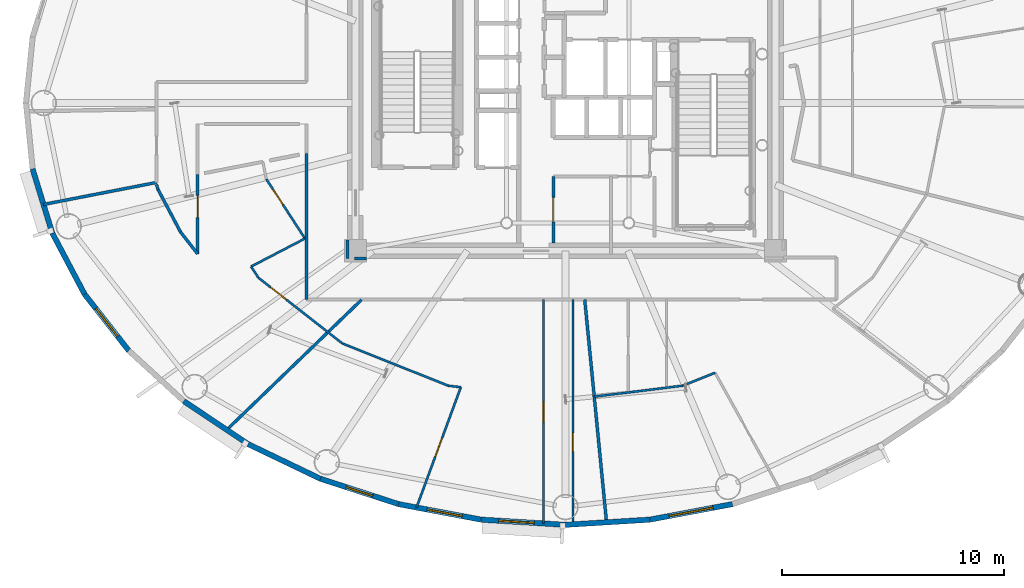
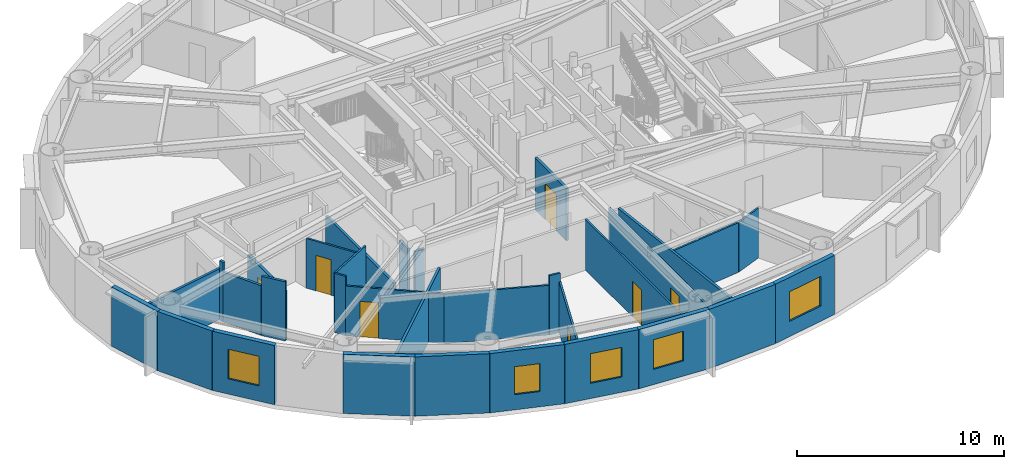
# One storey, part 9 of 21: 32 walls, 7 doors, 5 windows, 12 openings.
"""IFC4 building model written with IfcOpenShell, lengths in metres."""

import ifcopenshell
import ifcopenshell.guid

model = None  # the IFC model being written
_history = None  # IfcOwnerHistory: only IFC2X3 demands one
_inside = {}  # id of a spatial element -> (the spatial element, [elements in it])
_under = {}  # id of a project, library or spatial element -> (it, [spatial elements below it])
_declared = {}  # id of a project -> (the project, [libraries it declares])
_typed = {}  # id of a type object -> (the type object, [elements of that type])
_made_of = {}  # id of a material, layer set ... -> (it, [elements and type objects made of it])


def new_model(schema):
    """Start an empty IFC model of exactly this schema.

    Asked for "IFC4X3", IfcOpenShell would pick the latest addendum, in which some entities
    have other attributes; the version numbers below select the first issue.
    IFC2X3 requires an IfcOwnerHistory on every rooted entity: one is made here for all.
    """
    global model, _history
    if schema == "IFC4X3":
        model = ifcopenshell.file(schema_version=(4, 3, 0, 0))
    else:
        model = ifcopenshell.file(schema=schema)
    _inside.clear()
    _under.clear()
    _declared.clear()
    _typed.clear()
    _made_of.clear()
    _history = None
    if model.schema == "IFC2X3":
        org = make("IfcOrganization", Name="unknown")
        user = make(
            "IfcPersonAndOrganization",
            ThePerson=make("IfcPerson", FamilyName="unknown"),
            TheOrganization=org,
        )
        app = make(
            "IfcApplication",
            ApplicationDeveloper=org,
            Version="unknown",
            ApplicationFullName="unknown",
            ApplicationIdentifier="unknown",
        )
        _history = make(
            "IfcOwnerHistory",
            OwningUser=user,
            OwningApplication=app,
            ChangeAction="ADDED",
            CreationDate=0,
        )
    return model


def make(cls, **values):
    """One entity of the class cls with the attributes given. An attribute that is None is left unset."""
    return model.create_entity(
        cls, **{name: value for name, value in values.items() if value is not None}
    )


def rooted(cls, **values):
    """An entity with a GlobalId (a new one), such as an element, a storey or a relation."""
    return make(cls, GlobalId=ifcopenshell.guid.new(), OwnerHistory=_history, **values)


def si_unit(unit_type, name, prefix=None):
    """IfcSIUnit, for example si_unit("LENGTHUNIT", "METRE", prefix="MILLI")."""
    return make("IfcSIUnit", UnitType=unit_type, Prefix=prefix, Name=name)


def assignment(units):
    """IfcUnitAssignment: the units of a project."""
    return None if units is None else make("IfcUnitAssignment", Units=units)


def point(xyz):
    """IfcCartesianPoint."""
    return None if xyz is None else make("IfcCartesianPoint", Coordinates=xyz)


def direction(xyz):
    """IfcDirection."""
    return None if xyz is None else make("IfcDirection", DirectionRatios=xyz)


def frame(location, z_axis=None, x_axis=None):
    """IfcAxis2Placement3D, a coordinate frame: its origin and axes. An axis left out is left unset."""
    return make(
        "IfcAxis2Placement3D",
        Location=point(location),
        Axis=direction(z_axis),
        RefDirection=direction(x_axis),
    )


def frame_2d(location, x_axis=None):
    """IfcAxis2Placement2D, a coordinate frame in the plane: its origin and x axis."""
    return make(
        "IfcAxis2Placement2D", Location=point(location), RefDirection=direction(x_axis)
    )


def origin():
    """The frame at (0, 0, 0) with its axes left unset."""
    return frame((0.0, 0.0, 0.0))


def origin_2d():
    """The frame at (0, 0) in the plane with its x axis left unset."""
    return frame_2d((0.0, 0.0))


def place(relative_to, where):
    """IfcLocalPlacement: puts the frame where relative to a parent placement (None: the world)."""
    return make(
        "IfcLocalPlacement", PlacementRelTo=relative_to, RelativePlacement=where
    )


def context(
    kind, dimensions, precision=None, world=None, true_north=None, identifier=None
):
    """IfcGeometricRepresentationContext, for example the 3D "Model" context."""
    return make(
        "IfcGeometricRepresentationContext",
        ContextIdentifier=identifier,
        ContextType=kind,
        CoordinateSpaceDimension=dimensions,
        Precision=precision,
        WorldCoordinateSystem=world,
        TrueNorth=true_north,
    )


def subcontext(parent, identifier, kind, view, scale=None):
    """IfcGeometricRepresentationSubContext, for example "Body" below "Model"."""
    return make(
        "IfcGeometricRepresentationSubContext",
        ContextIdentifier=identifier,
        ContextType=kind,
        ParentContext=parent,
        TargetScale=scale,
        TargetView=view,
    )


def project(units=None, contexts=None):
    """IfcProject with its units and contexts."""
    return rooted(
        "IfcProject",
        Name="project",
        RepresentationContexts=contexts,
        UnitsInContext=assignment(units),
    )


def spatial(cls, under=None, at=None, **own):
    """A site, building, storey or space (cls), placed at a placement, below another one or the project."""
    s = rooted(cls, ObjectPlacement=at, **own)
    if under is not None:
        _under.setdefault(under.id(), (under, []))[1].append(s)
    return s


def profile(cls, at=None, kind="AREA", **sizes):
    """A parametric profile (cls). Its sizes go by their IFC names, for example OverallWidth=200.0."""
    return make(cls, ProfileType=kind, Position=at, **sizes)


def rectangle(**sizes):
    """IfcRectangleProfileDef."""
    return profile("IfcRectangleProfileDef", **sizes)


def extrude(swept, where, along, depth):
    """IfcExtrudedAreaSolid: the profile swept, set in the frame where, extruded along a direction by depth."""
    return make(
        "IfcExtrudedAreaSolid",
        SweptArea=swept,
        Position=where,
        ExtrudedDirection=direction(along),
        Depth=depth,
    )


def shape(context_of_items, identifier, shape_type, items):
    """IfcShapeRepresentation: the items that make up one representation, for example the "Body"."""
    return make(
        "IfcShapeRepresentation",
        ContextOfItems=context_of_items,
        RepresentationIdentifier=identifier,
        RepresentationType=shape_type,
        Items=items,
    )


def source(mapping_origin, context_of_items, identifier, shape_type, items):
    """IfcRepresentationMap: a shape defined once, which mapped items show again and again."""
    return make(
        "IfcRepresentationMap",
        MappingOrigin=mapping_origin,
        MappedRepresentation=shape(context_of_items, identifier, shape_type, items),
    )


def transform(
    local_origin,
    x_axis=None,
    y_axis=None,
    z_axis=None,
    scale=None,
    scale2=None,
    scale3=None,
    uniform=True,
):
    """IfcCartesianTransformationOperator3D, or its non-uniform kind. x_axis, y_axis, z_axis: its Axis1, 2, 3."""
    if uniform:
        return make(
            "IfcCartesianTransformationOperator3D",
            Axis1=direction(x_axis),
            Axis2=direction(y_axis),
            LocalOrigin=point(local_origin),
            Scale=scale,
            Axis3=direction(z_axis),
        )
    return make(
        "IfcCartesianTransformationOperator3DnonUniform",
        Axis1=direction(x_axis),
        Axis2=direction(y_axis),
        LocalOrigin=point(local_origin),
        Scale=scale,
        Axis3=direction(z_axis),
        Scale2=scale2,
        Scale3=scale3,
    )


def mapped(mapping_source, mapping_target):
    """IfcMappedItem: shows the shape of a source again, moved by a transform."""
    return make(
        "IfcMappedItem", MappingSource=mapping_source, MappingTarget=mapping_target
    )


def material(Name=None, Category=None):
    """IfcMaterial."""
    return make("IfcMaterial", Name=Name, Category=Category)


def layer(
    of_material, thickness, ventilated=None, Name=None, Category=None, Priority=None
):
    """IfcMaterialLayer: one layer of a wall or slab, of a material (None: an air gap)."""
    return make(
        "IfcMaterialLayer",
        Material=of_material,
        LayerThickness=thickness,
        IsVentilated=ventilated,
        Name=Name,
        Category=Category,
        Priority=Priority,
    )


def layer_set(layers, Name=None):
    """IfcMaterialLayerSet."""
    return make("IfcMaterialLayerSet", MaterialLayers=layers, LayerSetName=Name)


def made_of(thing, what):
    """Note that an element or type object is made of a material, layer set ...; save() writes the relation."""
    if what is not None:
        _made_of.setdefault(what.id(), (what, []))[1].append(thing)
    return thing


def type_object(cls, material=None, **own):
    """A type object (cls), such as IfcWallType, which elements share."""
    return made_of(rooted(cls, **own), material)


def element(
    cls,
    number,
    at=None,
    inside=None,
    cuts=None,
    type_object=None,
    material=None,
    context=None,
    identifier="Body",
    shape_type=None,
    held_by="IfcProductDefinitionShape",
    body=None,
    shapes=None,
    **own,
):
    """One element of the class cls, such as IfcWall. Its Tag is "e" and its number.

    at: its placement. inside: the storey or other place that contains it. cuts: it is an
    opening in that element (IfcRelVoidsElement). A single representation is given by context,
    identifier, shape_type and body (its items); several are given by shapes. held_by: the class
    of the entity that holds the representations. save() writes the other relations.
    """
    e = rooted(cls, Tag="e%d" % number, ObjectPlacement=at, **own)
    if body is not None:
        shapes = [shape(context, identifier, shape_type, body)]
    if shapes is not None:
        e.Representation = make(held_by, Representations=shapes)
    if inside is not None:
        _inside.setdefault(inside.id(), (inside, []))[1].append(e)
    if cuts is not None:
        rooted(
            "IfcRelVoidsElement", RelatingBuildingElement=cuts, RelatedOpeningElement=e
        )
    if type_object is not None:
        _typed.setdefault(type_object.id(), (type_object, []))[1].append(e)
    return made_of(e, material)


def fill(opening, filler):
    """IfcRelFillsElement: the door or window that sits in an opening."""
    return rooted(
        "IfcRelFillsElement",
        RelatingOpeningElement=opening,
        RelatedBuildingElement=filler,
    )


def aggregate(whole, parts):
    """IfcRelAggregates: a whole, such as a stair, and the parts it consists of."""
    return rooted("IfcRelAggregates", RelatingObject=whole, RelatedObjects=parts)


def save(model, path):
    """Write the relations noted so far, then the file.

    IfcRelAggregates (storeys below a building ...), IfcRelContainedInSpatialStructure (elements
    in a storey), IfcRelDefinesByType, IfcRelAssociatesMaterial and IfcRelDeclares: one each for
    every whole, place, type object, material and project.
    """
    for whole, parts in _under.values():
        aggregate(whole, parts)
    for where, things in _inside.values():
        rooted(
            "IfcRelContainedInSpatialStructure",
            RelatedElements=things,
            RelatingStructure=where,
        )
    for kind, things in _typed.values():
        rooted("IfcRelDefinesByType", RelatedObjects=things, RelatingType=kind)
    for what, things in _made_of.values():
        rooted("IfcRelAssociatesMaterial", RelatedObjects=things, RelatingMaterial=what)
    for by, libraries in _declared.values():
        rooted("IfcRelDeclares", RelatingContext=by, RelatedDefinitions=libraries)
    model.write(path)


model = new_model("IFC4")

# Units and contexts
model_context = context("Model", 3, precision=1e-05, world=origin(), true_north=direction((0.0, 1.0)))
body_context = subcontext(model_context, "Body", "Model", "MODEL_VIEW")
ifc_project = project(units=[si_unit("LENGTHUNIT", "METRE"), si_unit("AREAUNIT", "SQUARE_METRE"), si_unit("VOLUMEUNIT", "CUBIC_METRE"), si_unit("PLANEANGLEUNIT", "RADIAN"), si_unit("MASSUNIT", "GRAM", prefix="KILO")], contexts=[model_context])

# Site, building, storey
site_placement = place(None, origin())
site = spatial("IfcSite", under=ifc_project, at=site_placement, CompositionType="ELEMENT")
building_placement = place(site_placement, origin())
building = spatial("IfcBuilding", under=site, at=building_placement, Name="Linh Dai School and Residence Tower", CompositionType="ELEMENT")
storey_placement = place(building_placement, frame((0.0, 0.0, 251.550048828125)))
storey = spatial("IfcBuildingStorey", under=building, at=storey_placement, Name="L62", CompositionType="ELEMENT", Elevation=251.550048828125)

# Walls
ifc_material_1 = material(Name="Precast Concrete B45 (C35/45)", Category="concrete")
ifc_layer_1 = layer(ifc_material_1, 0.239990234375)
ifc_layer_set_1 = layer_set([ifc_layer_1], Name="Precast Concrete B45 (C35/45)")
wall_type_1 = type_object("IfcWallType", Name="EW-TC-240", PredefinedType="SOLIDWALL", material=ifc_layer_set_1)
wall_1_placement = place(storey_placement, frame((12.90966796875, 21.14404296875, 0.0), z_axis=(0.0, 0.0, 1.0), x_axis=(-0.293132907334, 0.95607170162, 0.0)))
element("IfcWall", 1, at=wall_1_placement, inside=storey, type_object=wall_type_1, Name="L62 Terracotta Exterior Wall 22", PredefinedType="SOLIDWALL", context=body_context, shape_type="SweptSolid", body=[
    extrude(rectangle(XDim=3.02490234375, YDim=0.239990234375, at=frame_2d((1.512451171875, 0.0))), origin(), (0.0, 0.0, 1.0), 3.5),
])
wall_2_placement = place(storey_placement, frame((14.3642578125, 18.394775390625, 0.0), z_axis=(0.0, 0.0, 1.0), x_axis=(-0.46766049993, 0.883908172157, 0.0)))
element("IfcWall", 2, at=wall_2_placement, inside=storey, type_object=wall_type_1, Name="L62 Terracotta Exterior Wall 23", PredefinedType="SOLIDWALL", context=body_context, shape_type="SweptSolid", body=[
    extrude(rectangle(XDim=3.1103515625, YDim=0.239990234375, at=frame_2d((1.55517578125, 0.0))), origin(), (0.0, 0.0, 1.0), 3.5),
])

# Wall, opening, window
wall_3_placement = place(storey_placement, frame((16.3515625, 15.85546875, 0.0), z_axis=(0.0, 0.0, 1.0), x_axis=(-0.616312344705, 0.787501805562, 0.0)))
wall_3 = element("IfcWall", 3, at=wall_3_placement, inside=storey, type_object=wall_type_1, Name="L62 Terracotta Exterior Wall 24", PredefinedType="SOLIDWALL", context=body_context, shape_type="SweptSolid", body=[
    extrude(rectangle(XDim=3.224609375, YDim=0.239990234375, at=frame_2d((1.6123046875, 0.0))), origin(), (0.0, 0.0, 1.0), 3.5),
])
opening_1_placement = place(wall_3_placement, frame((0.81201171875, 0.0, 0.89990234375)))
opening_1 = element("IfcOpeningElement", 4, at=opening_1_placement, cuts=wall_3, Name="Opening W2", PredefinedType="OPENING", context=body_context, shape_type="SweptSolid", body=[
    extrude(rectangle(XDim=1.60009765625, YDim=1.75, at=origin_2d()), frame((0.800048828125, 0.1298828125, 0.875), z_axis=(0.0, -1.0, 0.0), x_axis=(1.0, 0.0, 0.0)), (0.0, 0.0, 1.0), 0.260009765625),
])
ifc_material_2 = material(Name="Double Low-E Insulated Glazing", Category="glass")
window_type_1 = type_object("IfcWindowType", Name="WN-RES-1600x1750", PartitioningType="DOUBLE_PANEL_VERTICAL", PredefinedType="WINDOW", material=ifc_material_2)
shared_shape_1 = source(origin(), body_context, "Body", "SweptSolid", [
    extrude(rectangle(XDim=1.60009765625, YDim=1.75, at=origin_2d()), frame((0.800048828125, 0.030029296875, 0.875), z_axis=(0.0, -1.0, 0.0), x_axis=(1.0, 0.0, 0.0)), (0.0, 0.0, 1.0), 0.06005859375),
])
window_1_placement = place(opening_1_placement, origin())
window_1 = element("IfcWindow", 5, at=window_1_placement, inside=storey, type_object=window_type_1, Name="L62 Exterior Window 24.1", OverallHeight=1.75, OverallWidth=1.60009765625, PartitioningType="DOUBLE_PANEL_VERTICAL", PredefinedType="WINDOW", context=body_context, shape_type="MappedRepresentation", body=[
    mapped(shared_shape_1, transform((0.0, 0.0, 0.0), x_axis=(1.0, 0.0, 0.0), y_axis=(0.0, 1.0, 0.0), z_axis=(0.0, 0.0, 1.0), scale=1.0)),
])
fill(opening_1, window_1)

# Walls
wall_4_placement = place(storey_placement, frame((21.719970703125, 11.65234375, 0.0), z_axis=(0.0, 0.0, 1.0), x_axis=(-0.831262496074, 0.555880079352, 0.0)))
element("IfcWall", 6, at=wall_4_placement, inside=storey, type_object=wall_type_1, Name="L62 Terracotta Exterior Wall 26", PredefinedType="SOLIDWALL", context=body_context, shape_type="SweptSolid", body=[
    extrude(rectangle(XDim=3.484130859375, YDim=0.239990234375, at=frame_2d((1.7421875, 0.0))), origin(), (0.0, 0.0, 1.0), 3.5),
])
wall_5_placement = place(storey_placement, frame((24.968994140625, 10.093505859375, 0.0), z_axis=(0.0, 0.0, 1.0), x_axis=(-0.901598104751, 0.432574684313, 0.0)))
element("IfcWall", 7, at=wall_5_placement, inside=storey, type_object=wall_type_1, Name="L62 Terracotta Exterior Wall 27", PredefinedType="SOLIDWALL", context=body_context, shape_type="SweptSolid", body=[
    extrude(rectangle(XDim=3.603515625, YDim=0.239990234375, at=frame_2d((1.8017578125, 0.0))), origin(), (0.0, 0.0, 1.0), 3.5),
])

# Wall, opening, window
wall_6_placement = place(storey_placement, frame((28.49072265625, 8.951171875, 0.0), z_axis=(0.0, 0.0, 1.0), x_axis=(-0.951210789182, 0.308541787354, 0.0)))
wall_6 = element("IfcWall", 8, at=wall_6_placement, inside=storey, type_object=wall_type_1, Name="L62 Terracotta Exterior Wall 28", PredefinedType="SOLIDWALL", context=body_context, shape_type="SweptSolid", body=[
    extrude(rectangle(XDim=3.702392578125, YDim=0.239990234375, at=frame_2d((1.85107421875, 0.0))), origin(), (0.0, 0.0, 1.0), 3.5),
])
opening_2_placement = place(wall_6_placement, frame((1.226318359375, 0.0, 0.89990234375)))
opening_2 = element("IfcOpeningElement", 9, at=opening_2_placement, cuts=wall_6, Name="Opening W3", PredefinedType="OPENING", context=body_context, shape_type="SweptSolid", body=[
    extrude(rectangle(XDim=1.25, YDim=1.64990234375, at=origin_2d()), frame((0.625, 0.1298828125, 0.824951171875), z_axis=(0.0, -1.0, 0.0), x_axis=(1.0, 0.0, 0.0)), (0.0, 0.0, 1.0), 0.260009765625),
])
window_type_2 = type_object("IfcWindowType", Name="WN-RES-1250x1650", PartitioningType="SINGLE_PANEL", PredefinedType="WINDOW", material=ifc_material_2)
shared_shape_2 = source(origin(), body_context, "Body", "SweptSolid", [
    extrude(rectangle(XDim=1.25, YDim=1.64990234375, at=origin_2d()), frame((0.625, 0.030029296875, 0.824951171875), z_axis=(0.0, -1.0, 0.0), x_axis=(1.0, 0.0, 0.0)), (0.0, 0.0, 1.0), 0.06005859375),
])
window_2_placement = place(opening_2_placement, origin())
window_2 = element("IfcWindow", 10, at=window_2_placement, inside=storey, type_object=window_type_2, Name="L62 Dwelling Window U6202-BD1", OverallHeight=1.64990234375, OverallWidth=1.25, PartitioningType="SINGLE_PANEL", PredefinedType="WINDOW", context=body_context, shape_type="MappedRepresentation", body=[
    mapped(shared_shape_2, transform((0.0, 0.0, 0.0), x_axis=(1.0, 0.0, 0.0), y_axis=(0.0, 1.0, 0.0), z_axis=(0.0, 0.0, 1.0), scale=1.0)),
])
fill(opening_2, window_2)

wall_7_placement = place(storey_placement, frame((32.198486328125, 8.254150390625, 0.0), z_axis=(0.0, 0.0, 1.0), x_axis=(-0.982784898575, 0.184753465822, 0.0)))
wall_7 = element("IfcWall", 11, at=wall_7_placement, inside=storey, type_object=wall_type_1, Name="L62 Terracotta Exterior Wall 29", PredefinedType="SOLIDWALL", context=body_context, shape_type="SweptSolid", body=[
    extrude(rectangle(XDim=3.772705078125, YDim=0.239990234375, at=frame_2d((1.88623046875, 0.0))), origin(), (0.0, 0.0, 1.0), 3.5),
])
opening_3_placement = place(wall_7_placement, frame((0.85888671875, 0.0, 0.89990234375)))
opening_3 = element("IfcOpeningElement", 12, at=opening_3_placement, cuts=wall_7, Name="Opening W2", PredefinedType="OPENING", context=body_context, shape_type="SweptSolid", body=[
    extrude(rectangle(XDim=1.60009765625, YDim=1.75, at=origin_2d()), frame((0.800048828125, 0.1298828125, 0.875), z_axis=(0.0, -1.0, 0.0), x_axis=(1.0, 0.0, 0.0)), (0.0, 0.0, 1.0), 0.260009765625),
])
window_3_placement = place(opening_3_placement, origin())
window_3 = element("IfcWindow", 13, at=window_3_placement, inside=storey, type_object=window_type_1, Name="L62 Exterior Window 29.1", OverallHeight=1.75, OverallWidth=1.60009765625, PartitioningType="DOUBLE_PANEL_VERTICAL", PredefinedType="WINDOW", context=body_context, shape_type="MappedRepresentation", body=[
    mapped(shared_shape_1, transform((0.0, 0.0, 0.0), x_axis=(1.0, 0.0, 0.0), y_axis=(0.0, 1.0, 0.0), z_axis=(0.0, 0.0, 1.0), scale=1.0)),
])
fill(opening_3, window_3)

wall_8_placement = place(storey_placement, frame((36.0, 8.02001953125, 0.0), z_axis=(0.0, 0.0, 1.0), x_axis=(-0.998108785312, 0.06147237333, 0.0)))
wall_8 = element("IfcWall", 14, at=wall_8_placement, inside=storey, type_object=wall_type_1, Name="L62 Terracotta Exterior Wall 30", PredefinedType="SOLIDWALL", context=body_context, shape_type="SweptSolid", body=[
    extrude(rectangle(XDim=3.808837890625, YDim=0.239990234375, at=frame_2d((1.904296875, 0.0))), origin(), (0.0, 0.0, 1.0), 3.5),
])
opening_4_placement = place(wall_8_placement, frame((1.41015625, 0.0, 0.89990234375)))
opening_4 = element("IfcOpeningElement", 15, at=opening_4_placement, cuts=wall_8, Name="Opening W2", PredefinedType="OPENING", context=body_context, shape_type="SweptSolid", body=[
    extrude(rectangle(XDim=1.60009765625, YDim=1.75, at=origin_2d()), frame((0.800048828125, 0.1298828125, 0.875), z_axis=(0.0, -1.0, 0.0), x_axis=(1.0, 0.0, 0.0)), (0.0, 0.0, 1.0), 0.260009765625),
])
window_4_placement = place(opening_4_placement, origin())
window_4 = element("IfcWindow", 16, at=window_4_placement, inside=storey, type_object=window_type_1, Name="L62 Exterior Window 30.1", OverallHeight=1.75, OverallWidth=1.60009765625, PartitioningType="DOUBLE_PANEL_VERTICAL", PredefinedType="WINDOW", context=body_context, shape_type="MappedRepresentation", body=[
    mapped(shared_shape_1, transform((0.0, 0.0, 0.0), x_axis=(1.0, 0.0, 0.0), y_axis=(0.0, 1.0, 0.0), z_axis=(0.0, 0.0, 1.0), scale=1.0)),
])
fill(opening_4, window_4)

# Wall
wall_9_placement = place(storey_placement, frame((39.801513671875, 8.254150390625, 0.0), z_axis=(0.0, 0.0, 1.0), x_axis=(-0.998108785312, -0.06147237333, 0.0)))
element("IfcWall", 17, at=wall_9_placement, inside=storey, type_object=wall_type_1, Name="L62 Terracotta Exterior Wall 31", PredefinedType="SOLIDWALL", context=body_context, shape_type="SweptSolid", body=[
    extrude(rectangle(XDim=3.808837890625, YDim=0.239990234375, at=frame_2d((1.904296875, 0.0))), origin(), (0.0, 0.0, 1.0), 3.5),
])

# Wall, opening, window
wall_10_placement = place(storey_placement, frame((43.50927734375, 8.951171875, 0.0), z_axis=(0.0, 0.0, 1.0), x_axis=(-0.982784898575, -0.184753465822, 0.0)))
wall_10 = element("IfcWall", 18, at=wall_10_placement, inside=storey, type_object=wall_type_1, Name="L62 Terracotta Exterior Wall 32", PredefinedType="SOLIDWALL", context=body_context, shape_type="SweptSolid", body=[
    extrude(rectangle(XDim=3.772705078125, YDim=0.239990234375, at=frame_2d((1.88623046875, 0.0))), origin(), (0.0, 0.0, 1.0), 3.5),
])
opening_5_placement = place(wall_10_placement, frame((0.88623046875, 0.0, 0.89990234375)))
opening_5 = element("IfcOpeningElement", 19, at=opening_5_placement, cuts=wall_10, Name="Opening W1", PredefinedType="OPENING", context=body_context, shape_type="SweptSolid", body=[
    extrude(rectangle(XDim=2.0, YDim=1.75, at=origin_2d()), frame((1.0, 0.1298828125, 0.875), z_axis=(0.0, -1.0, 0.0), x_axis=(1.0, 0.0, 0.0)), (0.0, 0.0, 1.0), 0.260009765625),
])
window_type_3 = type_object("IfcWindowType", Name="WN-RES-2000x1750", PartitioningType="DOUBLE_PANEL_VERTICAL", PredefinedType="WINDOW", material=ifc_material_2)
shared_shape_3 = source(origin(), body_context, "Body", "SweptSolid", [
    extrude(rectangle(XDim=2.0, YDim=1.75, at=origin_2d()), frame((1.0, 0.030029296875, 0.875), z_axis=(0.0, -1.0, 0.0), x_axis=(1.0, 0.0, 0.0)), (0.0, 0.0, 1.0), 0.06005859375),
])
window_5_placement = place(opening_5_placement, origin())
window_5 = element("IfcWindow", 20, at=window_5_placement, inside=storey, type_object=window_type_3, Name="L62 Exterior Window 32.1", OverallHeight=1.75, OverallWidth=2.0, PartitioningType="DOUBLE_PANEL_VERTICAL", PredefinedType="WINDOW", context=body_context, shape_type="MappedRepresentation", body=[
    mapped(shared_shape_3, transform((0.0, 0.0, 0.0), x_axis=(1.0, 0.0, 0.0), y_axis=(0.0, 1.0, 0.0), z_axis=(0.0, 0.0, 1.0), scale=1.0)),
])
fill(opening_5, window_5)

# Walls
ifc_material_3 = material(Name="Autoclaved Aerated Concrete Blockwork", Category="masonry")
ifc_layer_2 = layer(ifc_material_3, 0.135009765625)
ifc_layer_set_2 = layer_set([ifc_layer_2], Name="Autoclaved Aerated Concrete Blockwork")
wall_type_2 = type_object("IfcWallType", Name="IW-CORR-135-EI90", PredefinedType="PARTITIONING", material=ifc_layer_set_2)
wall_11_placement = place(storey_placement, frame((12.509033203125, 22.433837890625, 0.0), z_axis=(0.0, 0.0, 1.0), x_axis=(0.981630821079, 0.190790280431, 0.0)))
element("IfcWall", 21, at=wall_11_placement, inside=storey, type_object=wall_type_2, Name="L62 Interior Partition Wall 002", PredefinedType="PARTITIONING", context=body_context, shape_type="SweptSolid", body=[
    extrude(rectangle(XDim=5.186279296875, YDim=0.135009765625, at=frame_2d((2.59326171875, 0.0))), origin(), (0.0, 0.0, 1.0), 2.98486328125),
])
wall_12_placement = place(storey_placement, frame((17.60009765625, 23.327880859375, 0.0), z_axis=(0.0, 0.0, 1.0), x_axis=(0.292875000845, -0.956150738053, 0.0)))
element("IfcWall", 22, at=wall_12_placement, inside=storey, type_object=wall_type_2, Name="L62 Interior Partition Wall 003", PredefinedType="PARTITIONING", context=body_context, shape_type="SweptSolid", body=[
    extrude(rectangle(XDim=0.226806640625, YDim=0.135009765625, at=frame_2d((0.11328125, 0.0))), origin(), (0.0, 0.0, 1.0), 3.5),
])
wall_13_placement = place(storey_placement, frame((17.66650390625, 23.111083984375, 0.0), z_axis=(0.0, 0.0, 1.0), x_axis=(0.467675622269, -0.883900171024, 0.0)))
element("IfcWall", 23, at=wall_13_placement, inside=storey, type_object=wall_type_2, Name="L62 Interior Partition Wall 006", PredefinedType="PARTITIONING", context=body_context, shape_type="SweptSolid", body=[
    extrude(rectangle(XDim=2.16845703125, YDim=0.135009765625, at=frame_2d((1.084228515625, 0.0))), origin(), (0.0, 0.0, 1.0), 2.93505859375),
])
wall_14_placement = place(storey_placement, frame((18.6806640625, 21.1943359375, 0.0), z_axis=(0.0, 0.0, 1.0), x_axis=(0.616239706802, -0.787558647823, 0.0)))
element("IfcWall", 24, at=wall_14_placement, inside=storey, type_object=wall_type_2, Name="L62 Interior Partition Wall 008", PredefinedType="PARTITIONING", context=body_context, shape_type="SweptSolid", body=[
    extrude(rectangle(XDim=1.248291015625, YDim=0.135009765625, at=frame_2d((0.6240234375, 0.0))), origin(), (0.0, 0.0, 1.0), 3.5),
])

# Wall, opening, door
wall_15_placement = place(storey_placement, frame((19.449951171875, 20.211181640625, 0.0), z_axis=(0.0, 0.0, 1.0), x_axis=(0.0, 1.0, 0.0)))
wall_15 = element("IfcWall", 25, at=wall_15_placement, inside=storey, type_object=wall_type_2, Name="L62 Interior Partition Wall 009", PredefinedType="PARTITIONING", context=body_context, shape_type="SweptSolid", body=[
    extrude(rectangle(XDim=3.57177734375, YDim=0.135009765625, at=frame_2d((1.785888671875, 0.0))), origin(), (0.0, 0.0, 1.0), 2.93505859375),
])
opening_6_placement = place(wall_15_placement, frame((1.6357421875, 0.0, 0.0)))
opening_6 = element("IfcOpeningElement", 26, at=opening_6_placement, cuts=wall_15, Name="Opening D03", PredefinedType="OPENING", context=body_context, shape_type="SweptSolid", body=[
    extrude(rectangle(XDim=1.0, YDim=2.14990234375, at=origin_2d()), frame((0.5, 0.07763671875, 1.074951171875), z_axis=(0.0, -1.0, 0.0), x_axis=(1.0, 0.0, 0.0)), (0.0, 0.0, 1.0), 0.155029296875),
])
ifc_material_4 = material(Name="Fire-Rated Solid Timber Entrance Door", Category="wood")
door_type_1 = type_object("IfcDoorType", Name="DR-FLAT-1000x2150-FD60S", OperationType="NOTDEFINED", PredefinedType="DOOR", material=ifc_material_4)
shared_shape_4 = source(origin(), body_context, "Body", "SweptSolid", [
    extrude(rectangle(XDim=1.0, YDim=2.14990234375, at=origin_2d()), frame((0.5, 0.02490234375, 1.074951171875), z_axis=(0.0, -1.0, 0.0), x_axis=(1.0, 0.0, 0.0)), (0.0, 0.0, 1.0), 0.050048828125),
])
door_1_placement = place(opening_6_placement, origin())
door_1 = element("IfcDoor", 27, at=door_1_placement, inside=storey, type_object=door_type_1, Name="L62 U6201 Apartment Entrance Door", OperationType="SINGLE_SWING_RIGHT", OverallHeight=2.14990234375, OverallWidth=1.0, PredefinedType="DOOR", context=body_context, shape_type="MappedRepresentation", body=[
    mapped(shared_shape_4, transform((0.0, 0.0, 0.0), x_axis=(1.0, 0.0, 0.0), y_axis=(0.0, 1.0, 0.0), z_axis=(0.0, 0.0, 1.0), scale=1.0)),
])
fill(opening_6, door_1)

# Walls
wall_16_placement = place(storey_placement, frame((20.756103515625, 12.290771484375, 0.0), z_axis=(0.0, 0.0, 1.0), x_axis=(0.719623273788, 0.694364705196, 0.0)))
element("IfcWall", 28, at=wall_16_placement, inside=storey, type_object=wall_type_2, Name="L62 Interior Partition Wall 010", PredefinedType="PARTITIONING", context=body_context, shape_type="SweptSolid", body=[
    extrude(rectangle(XDim=8.438232421875, YDim=0.135009765625, at=frame_2d((4.21923828125, 0.0))), origin(), (0.0, 0.0, 1.0), 2.98486328125),
])
wall_17_placement = place(storey_placement, frame((24.35009765625, 18.14990234375, 0.0), z_axis=(0.0, 0.0, 1.0), x_axis=(0.0, 1.0, 0.0)))
element("IfcWall", 29, at=wall_17_placement, inside=storey, type_object=wall_type_2, Name="L62 Interior Partition Wall 017", PredefinedType="PARTITIONING", context=body_context, shape_type="SweptSolid", body=[
    extrude(rectangle(XDim=6.58544921875, YDim=0.135009765625, at=frame_2d((3.292724609375, 0.0))), origin(), (0.0, 0.0, 1.0), 2.93505859375),
])

# Wall, opening, door
wall_18_placement = place(storey_placement, frame((35.449951171875, 20.699951171875, 0.0), z_axis=(0.0, 0.0, 1.0), x_axis=(0.0, 1.0, 0.0)))
wall_18 = element("IfcWall", 30, at=wall_18_placement, inside=storey, type_object=wall_type_2, Name="L62 Interior Partition Wall 045", PredefinedType="PARTITIONING", context=body_context, shape_type="SweptSolid", body=[
    extrude(rectangle(XDim=3.0, YDim=0.135009765625, at=frame_2d((1.5, 0.0))), origin(), (0.0, 0.0, 1.0), 3.0849609375),
])
opening_7_placement = place(wall_18_placement, frame((0.949951171875, 0.0, 0.0)))
opening_7 = element("IfcOpeningElement", 31, at=opening_7_placement, cuts=wall_18, Name="Opening D07", PredefinedType="OPENING", context=body_context, shape_type="SweptSolid", body=[
    extrude(rectangle(XDim=1.10009765625, YDim=2.14990234375, at=origin_2d()), frame((0.550048828125, 0.07763671875, 1.074951171875), z_axis=(0.0, -1.0, 0.0), x_axis=(1.0, 0.0, 0.0)), (0.0, 0.0, 1.0), 0.155029296875),
])
ifc_material_5 = material(Name="Fire-Rated Louvred Steel Plant Door", Category="steel")
door_type_2 = type_object("IfcDoorType", Name="DR-PLT-1100x2150-FD60S", OperationType="NOTDEFINED", PredefinedType="DOOR", material=ifc_material_5)
shared_shape_5 = source(origin(), body_context, "Body", "SweptSolid", [
    extrude(rectangle(XDim=1.10009765625, YDim=2.14990234375, at=origin_2d()), frame((0.550048828125, 0.02490234375, 1.074951171875), z_axis=(0.0, -1.0, 0.0), x_axis=(1.0, 0.0, 0.0)), (0.0, 0.0, 1.0), 0.050048828125),
])
door_2_placement = place(opening_7_placement, origin())
door_2 = element("IfcDoor", 32, at=door_2_placement, inside=storey, type_object=door_type_2, Name="L62 Floor Electrical Switchroom Door", OperationType="SINGLE_SWING_RIGHT", OverallHeight=2.14990234375, OverallWidth=1.10009765625, PredefinedType="DOOR", context=body_context, shape_type="MappedRepresentation", body=[
    mapped(shared_shape_5, transform((0.0, 0.0, 0.0), x_axis=(1.0, 0.0, 0.0), y_axis=(0.0, 1.0, 0.0), z_axis=(0.0, 0.0, 1.0), scale=1.0)),
])
fill(opening_7, door_2)

# Walls
wall_19_placement = place(storey_placement, frame((36.86669921875, 18.14990234375, 0.0), z_axis=(0.0, 0.0, 1.0), x_axis=(0.097472533874, -0.995238215273, 0.0)))
element("IfcWall", 33, at=wall_19_placement, inside=storey, type_object=wall_type_2, Name="L62 Interior Partition Wall 054", PredefinedType="PARTITIONING", context=body_context, shape_type="SweptSolid", body=[
    extrude(rectangle(XDim=10.06884765625, YDim=0.135009765625, at=frame_2d((5.034423828125, 0.0))), origin(), (0.0, 0.0, 1.0), 2.98486328125),
])
wall_20_placement = place(storey_placement, frame((26.199951171875, 20.840087890625, 0.0), z_axis=(0.0, 0.0, 1.0), x_axis=(0.0, -1.0, 0.0)))
element("IfcWall", 34, at=wall_20_placement, inside=storey, type_object=wall_type_2, Name="L62 Interior Partition Wall 102", PredefinedType="PARTITIONING", context=body_context, shape_type="SweptSolid", body=[
    extrude(rectangle(XDim=0.840087890625, YDim=0.135009765625, at=frame_2d((0.419921875, 0.0))), origin(), (0.0, 0.0, 1.0), 3.18505859375),
])
wall_21_placement = place(storey_placement, frame((26.507568359375, 20.0, 0.0), z_axis=(0.0, 0.0, 1.0), x_axis=(1.0, 0.0, 0.0)))
element("IfcWall", 35, at=wall_21_placement, inside=storey, type_object=wall_type_2, Name="L62 Interior Partition Wall 103", PredefinedType="PARTITIONING", context=body_context, shape_type="SweptSolid", body=[
    extrude(rectangle(XDim=0.532470703125, YDim=0.135009765625, at=frame_2d((0.26611328125, 0.0))), origin(), (0.0, 0.0, 1.0), 2.93505859375),
])
ifc_material_6 = material(Name="Gypsum Plasterboard Acoustic Stud Partition", Category="masonry")
ifc_layer_3 = layer(ifc_material_6, 0.10009765625)
ifc_layer_set_3 = layer_set([ifc_layer_3], Name="Gypsum Plasterboard Acoustic Stud Partition")
wall_type_3 = type_object("IfcWallType", Name="IW-UNIT-100", PredefinedType="PARTITIONING", material=ifc_layer_set_3)
wall_22_placement = place(storey_placement, frame((21.855712890625, 19.640625, 0.0), z_axis=(0.0, 0.0, 1.0), x_axis=(0.545246536912, -0.838275738636, 0.0)))
element("IfcWall", 36, at=wall_22_placement, inside=storey, type_object=wall_type_3, Name="L62 Interior Partition Wall 011", PredefinedType="PARTITIONING", context=body_context, shape_type="SweptSolid", body=[
    extrude(rectangle(XDim=0.59814453125, YDim=0.10009765625, at=frame_2d((0.299072265625, 0.0))), origin(), (0.0, 0.0, 1.0), 3.5),
])
wall_23_placement = place(storey_placement, frame((21.855712890625, 19.640625, 0.0), z_axis=(0.0, 0.0, 1.0), x_axis=(0.887130502634, 0.461518657582, 0.0)))
element("IfcWall", 37, at=wall_23_placement, inside=storey, type_object=wall_type_3, Name="L62 Interior Partition Wall 012", PredefinedType="PARTITIONING", context=body_context, shape_type="SweptSolid", body=[
    extrude(rectangle(XDim=2.7333984375, YDim=0.10009765625, at=frame_2d((1.36669921875, 0.0))), origin(), (0.0, 0.0, 1.0), 3.5),
])

# Wall, opening, door
wall_24_placement = place(storey_placement, frame((22.181884765625, 19.13916015625, 0.0), z_axis=(0.0, 0.0, 1.0), x_axis=(0.787386902975, -0.616459134917, 0.0)))
wall_24 = element("IfcWall", 38, at=wall_24_placement, inside=storey, type_object=wall_type_3, Name="L62 Interior Partition Wall 013", PredefinedType="PARTITIONING", context=body_context, shape_type="SweptSolid", body=[
    extrude(rectangle(XDim=4.799072265625, YDim=0.10009765625, at=frame_2d((2.3994140625, 0.0))), origin(), (0.0, 0.0, 1.0), 2.93505859375),
])
opening_8_placement = place(wall_24_placement, frame((0.6953125, 0.0, 0.0)))
opening_8 = element("IfcOpeningElement", 39, at=opening_8_placement, cuts=wall_24, Name="Opening D05", PredefinedType="OPENING", context=body_context, shape_type="SweptSolid", body=[
    extrude(rectangle(XDim=0.89990234375, YDim=2.10009765625, at=origin_2d()), frame((0.449951171875, 0.06005859375, 1.050048828125), z_axis=(0.0, -1.0, 0.0), x_axis=(1.0, 0.0, 0.0)), (0.0, 0.0, 1.0), 0.1201171875),
])
ifc_material_7 = material(Name="Engineered Timber Internal Door", Category="wood")
door_type_3 = type_object("IfcDoorType", Name="DR-INT-900x2100", OperationType="NOTDEFINED", PredefinedType="DOOR", material=ifc_material_7)
shared_shape_6 = source(origin(), body_context, "Body", "SweptSolid", [
    extrude(rectangle(XDim=0.89990234375, YDim=2.10009765625, at=origin_2d()), frame((0.449951171875, 0.02490234375, 1.050048828125), z_axis=(0.0, -1.0, 0.0), x_axis=(1.0, 0.0, 0.0)), (0.0, 0.0, 1.0), 0.050048828125),
])
door_3_placement = place(opening_8_placement, origin())
door_3 = element("IfcDoor", 40, at=door_3_placement, inside=storey, type_object=door_type_3, Name="L62 Apartment U6201 Kitchen Door", OperationType="SINGLE_SWING_RIGHT", OverallHeight=2.10009765625, OverallWidth=0.89990234375, PredefinedType="DOOR", context=body_context, shape_type="MappedRepresentation", body=[
    mapped(shared_shape_6, transform((0.0, 0.0, 0.0), x_axis=(1.0, 0.0, 0.0), y_axis=(0.0, 1.0, 0.0), z_axis=(0.0, 0.0, 1.0), scale=1.0)),
])
fill(opening_8, door_3)

wall_25_placement = place(storey_placement, frame((22.540771484375, 23.575927734375, 0.0), z_axis=(0.0, 0.0, 1.0), x_axis=(0.545375666154, -0.838191733893, 0.0)))
wall_25 = element("IfcWall", 41, at=wall_25_placement, inside=storey, type_object=wall_type_3, Name="L62 Interior Partition Wall 015", PredefinedType="PARTITIONING", context=body_context, shape_type="SweptSolid", body=[
    extrude(rectangle(XDim=3.18994140625, YDim=0.10009765625, at=frame_2d((1.594970703125, 0.0))), origin(), (0.0, 0.0, 1.0), 2.93505859375),
])
opening_9_placement = place(wall_25_placement, frame((0.5458984375, 0.0, 0.0)))
opening_9 = element("IfcOpeningElement", 42, at=opening_9_placement, cuts=wall_25, Name="Opening D06", PredefinedType="OPENING", context=body_context, shape_type="SweptSolid", body=[
    extrude(rectangle(XDim=0.820068359375, YDim=2.10009765625, at=origin_2d()), frame((0.41015625, 0.06005859375, 1.050048828125), z_axis=(0.0, -1.0, 0.0), x_axis=(1.0, 0.0, 0.0)), (0.0, 0.0, 1.0), 0.1201171875),
])
ifc_material_8 = material(Name="Moisture-Resistant Timber Bathroom Door", Category="wood")
door_type_4 = type_object("IfcDoorType", Name="DR-WET-820x2100", OperationType="NOTDEFINED", PredefinedType="DOOR", material=ifc_material_8)
shared_shape_7 = source(origin(), body_context, "Body", "SweptSolid", [
    extrude(rectangle(XDim=0.820068359375, YDim=2.10009765625, at=origin_2d()), frame((0.41015625, 0.02490234375, 1.050048828125), z_axis=(0.0, -1.0, 0.0), x_axis=(1.0, 0.0, 0.0)), (0.0, 0.0, 1.0), 0.050048828125),
])
door_4_placement = place(opening_9_placement, origin())
door_4 = element("IfcDoor", 43, at=door_4_placement, inside=storey, type_object=door_type_4, Name="L62 Apartment U6201 Bathroom Door", OperationType="SINGLE_SWING_LEFT", OverallHeight=2.10009765625, OverallWidth=0.820068359375, PredefinedType="DOOR", context=body_context, shape_type="MappedRepresentation", body=[
    mapped(shared_shape_7, transform((0.0, 0.0, 0.0), x_axis=(1.0, 0.0, 0.0), y_axis=(0.0, 1.0, 0.0), z_axis=(0.0, 0.0, 1.0), scale=1.0)),
])
fill(opening_9, door_4)

# Wall
wall_26_placement = place(storey_placement, frame((25.960693359375, 16.1806640625, 0.0), z_axis=(0.0, 0.0, 1.0), x_axis=(0.928801505367, -0.370577608105, 0.0)))
element("IfcWall", 44, at=wall_26_placement, inside=storey, type_object=wall_type_3, Name="L62 Interior Partition Wall 022", PredefinedType="PARTITIONING", context=body_context, shape_type="SweptSolid", body=[
    extrude(rectangle(XDim=5.126220703125, YDim=0.10009765625, at=frame_2d((2.56298828125, 0.0))), origin(), (0.0, 0.0, 1.0), 2.93505859375),
])

# Wall, opening, door
wall_27_placement = place(storey_placement, frame((29.29638671875, 8.794677734375, 0.0), z_axis=(0.0, 0.0, 1.0), x_axis=(0.345568130342, 0.938393663284, 0.0)))
wall_27 = element("IfcWall", 45, at=wall_27_placement, inside=storey, type_object=wall_type_3, Name="L62 Interior Partition Wall 026", PredefinedType="PARTITIONING", context=body_context, shape_type="SweptSolid", body=[
    extrude(rectangle(XDim=5.771240234375, YDim=0.10009765625, at=frame_2d((2.8857421875, 0.0))), origin(), (0.0, 0.0, 1.0), 2.98486328125),
])
opening_10_placement = place(wall_27_placement, frame((2.435791015625, 0.0, 0.0)))
opening_10 = element("IfcOpeningElement", 46, at=opening_10_placement, cuts=wall_27, Name="Opening D05", PredefinedType="OPENING", context=body_context, shape_type="SweptSolid", body=[
    extrude(rectangle(XDim=0.89990234375, YDim=2.10009765625, at=origin_2d()), frame((0.449951171875, 0.06005859375, 1.050048828125), z_axis=(0.0, -1.0, 0.0), x_axis=(1.0, 0.0, 0.0)), (0.0, 0.0, 1.0), 0.1201171875),
])
door_5_placement = place(opening_10_placement, origin())
door_5 = element("IfcDoor", 47, at=door_5_placement, inside=storey, type_object=door_type_3, Name="L62 Apartment U6202 Principal Bedroom 1 Door", OperationType="SINGLE_SWING_RIGHT", OverallHeight=2.10009765625, OverallWidth=0.89990234375, PredefinedType="DOOR", context=body_context, shape_type="MappedRepresentation", body=[
    mapped(shared_shape_6, transform((0.0, 0.0, 0.0), x_axis=(1.0, 0.0, 0.0), y_axis=(0.0, 1.0, 0.0), z_axis=(0.0, 0.0, 1.0), scale=1.0)),
])
fill(opening_10, door_5)

# Wall
wall_28_placement = place(storey_placement, frame((30.721923828125, 14.281005859375, 0.0), z_axis=(0.0, 0.0, 1.0), x_axis=(0.992395375367, -0.123091100206, 0.0)))
element("IfcWall", 48, at=wall_28_placement, inside=storey, type_object=wall_type_3, Name="L62 Interior Partition Wall 027", PredefinedType="PARTITIONING", context=body_context, shape_type="SweptSolid", body=[
    extrude(rectangle(XDim=0.5732421875, YDim=0.10009765625, at=frame_2d((0.28662109375, 0.0))), origin(), (0.0, 0.0, 1.0), 3.5),
])

# Wall, opening, door
wall_29_placement = place(storey_placement, frame((35.010498046875, 8.075927734375, 0.0), z_axis=(0.0, 0.0, 1.0), x_axis=(0.0, 1.0, 0.0)))
wall_29 = element("IfcWall", 49, at=wall_29_placement, inside=storey, type_object=wall_type_3, Name="L62 Interior Partition Wall 038", PredefinedType="PARTITIONING", context=body_context, shape_type="SweptSolid", body=[
    extrude(rectangle(XDim=10.073974609375, YDim=0.10009765625, at=frame_2d((5.037109375, 0.0))), origin(), (0.0, 0.0, 1.0), 2.98486328125),
])
opening_11_placement = place(wall_29_placement, frame((4.5869140625, 0.0, 0.0)))
opening_11 = element("IfcOpeningElement", 50, at=opening_11_placement, cuts=wall_29, Name="Opening D05", PredefinedType="OPENING", context=body_context, shape_type="SweptSolid", body=[
    extrude(rectangle(XDim=0.89990234375, YDim=2.10009765625, at=origin_2d()), frame((0.449951171875, 0.06005859375, 1.050048828125), z_axis=(0.0, -1.0, 0.0), x_axis=(1.0, 0.0, 0.0)), (0.0, 0.0, 1.0), 0.1201171875),
])
door_6_placement = place(opening_11_placement, origin())
door_6 = element("IfcDoor", 51, at=door_6_placement, inside=storey, type_object=door_type_3, Name="L62 Apartment U6202 Kitchen Door", OperationType="SINGLE_SWING_LEFT", OverallHeight=2.10009765625, OverallWidth=0.89990234375, PredefinedType="DOOR", context=body_context, shape_type="MappedRepresentation", body=[
    mapped(shared_shape_6, transform((0.0, 0.0, 0.0), x_axis=(1.0, 0.0, 0.0), y_axis=(0.0, 1.0, 0.0), z_axis=(0.0, 0.0, 1.0), scale=1.0)),
])
fill(opening_11, door_6)

wall_30_placement = place(storey_placement, frame((36.332763671875, 8.035400390625, 0.0), z_axis=(0.0, 0.0, 1.0), x_axis=(0.0, 1.0, 0.0)))
wall_30 = element("IfcWall", 52, at=wall_30_placement, inside=storey, type_object=wall_type_3, Name="L62 Interior Partition Wall 053", PredefinedType="PARTITIONING", context=body_context, shape_type="SweptSolid", body=[
    extrude(rectangle(XDim=10.114501953125, YDim=0.10009765625, at=frame_2d((5.05712890625, 0.0))), origin(), (0.0, 0.0, 1.0), 3.18505859375),
])
opening_12_placement = place(wall_30_placement, frame((3.2890625, 0.0, 0.0)))
opening_12 = element("IfcOpeningElement", 53, at=opening_12_placement, cuts=wall_30, Name="Opening D06", PredefinedType="OPENING", context=body_context, shape_type="SweptSolid", body=[
    extrude(rectangle(XDim=0.820068359375, YDim=2.10009765625, at=origin_2d()), frame((0.41015625, 0.06005859375, 1.050048828125), z_axis=(0.0, -1.0, 0.0), x_axis=(1.0, 0.0, 0.0)), (0.0, 0.0, 1.0), 0.1201171875),
])
door_7_placement = place(opening_12_placement, origin())
door_7 = element("IfcDoor", 54, at=door_7_placement, inside=storey, type_object=door_type_4, Name="L62 Apartment U6202 Bathroom 1 Door", OperationType="SINGLE_SWING_RIGHT", OverallHeight=2.10009765625, OverallWidth=0.820068359375, PredefinedType="DOOR", context=body_context, shape_type="MappedRepresentation", body=[
    mapped(shared_shape_7, transform((0.0, 0.0, 0.0), x_axis=(1.0, 0.0, 0.0), y_axis=(0.0, 1.0, 0.0), z_axis=(0.0, 0.0, 1.0), scale=1.0)),
])
fill(opening_12, door_7)

# Walls
wall_31_placement = place(storey_placement, frame((37.2939453125, 13.786865234375, 0.0), z_axis=(0.0, 0.0, 1.0), x_axis=(0.992396239348, 0.123084134349, 0.0)))
element("IfcWall", 55, at=wall_31_placement, inside=storey, type_object=wall_type_3, Name="L62 Interior Partition Wall 056", PredefinedType="PARTITIONING", context=body_context, shape_type="SweptSolid", body=[
    extrude(rectangle(XDim=4.0146484375, YDim=0.10009765625, at=frame_2d((2.00732421875, 0.0))), origin(), (0.0, 0.0, 1.0), 2.93505859375),
])
wall_32_placement = place(storey_placement, frame((41.278076171875, 14.281005859375, 0.0), z_axis=(0.0, 0.0, 1.0), x_axis=(0.928799036151, 0.370583796792, 0.0)))
element("IfcWall", 56, at=wall_32_placement, inside=storey, type_object=wall_type_3, Name="L62 Interior Partition Wall 070", PredefinedType="PARTITIONING", context=body_context, shape_type="SweptSolid", body=[
    extrude(rectangle(XDim=1.5654296875, YDim=0.10009765625, at=frame_2d((0.78271484375, 0.0))), origin(), (0.0, 0.0, 1.0), 2.93505859375),
])

save(model, "model.ifc")
